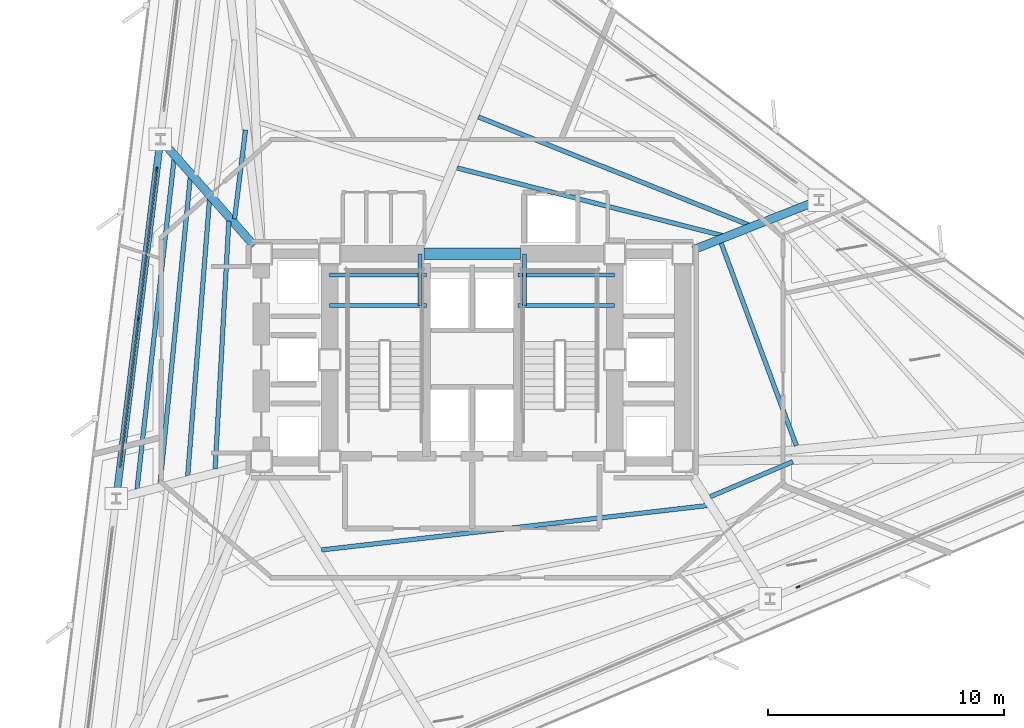
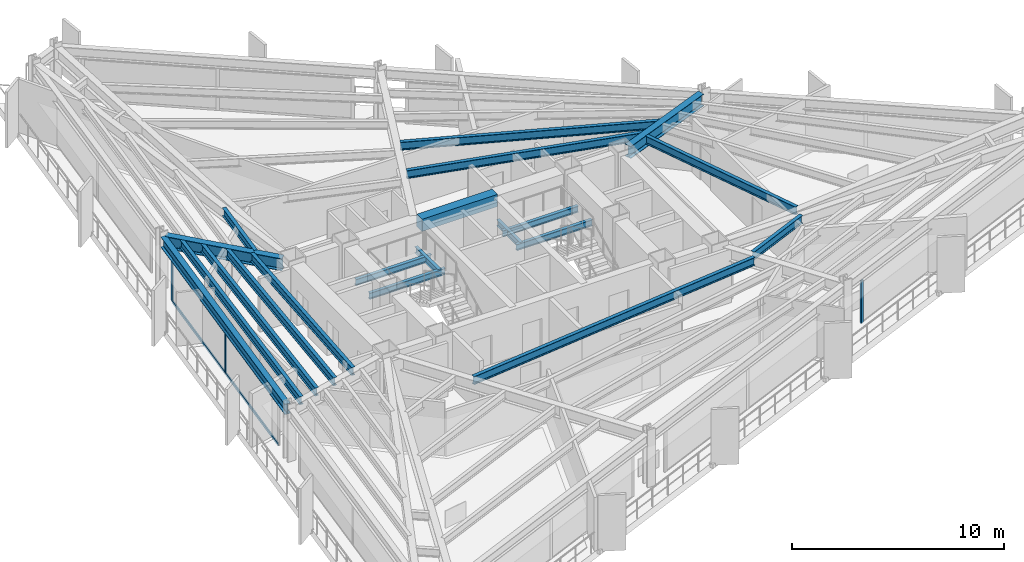
# One storey, part 3 of 13: 20 beams, 7 members, 2 elements without a shape of their own.
"""IFC4 building model written with IfcOpenShell, lengths in metres."""

import ifcopenshell
import ifcopenshell.guid

model = None  # the IFC model being written
_history = None  # IfcOwnerHistory: only IFC2X3 demands one
_inside = {}  # id of a spatial element -> (the spatial element, [elements in it])
_under = {}  # id of a project, library or spatial element -> (it, [spatial elements below it])
_declared = {}  # id of a project -> (the project, [libraries it declares])
_typed = {}  # id of a type object -> (the type object, [elements of that type])
_made_of = {}  # id of a material, layer set ... -> (it, [elements and type objects made of it])


def new_model(schema):
    """Start an empty IFC model of exactly this schema.

    Asked for "IFC4X3", IfcOpenShell would pick the latest addendum, in which some entities
    have other attributes; the version numbers below select the first issue.
    IFC2X3 requires an IfcOwnerHistory on every rooted entity: one is made here for all.
    """
    global model, _history
    if schema == "IFC4X3":
        model = ifcopenshell.file(schema_version=(4, 3, 0, 0))
    else:
        model = ifcopenshell.file(schema=schema)
    _inside.clear()
    _under.clear()
    _declared.clear()
    _typed.clear()
    _made_of.clear()
    _history = None
    if model.schema == "IFC2X3":
        org = make("IfcOrganization", Name="unknown")
        user = make(
            "IfcPersonAndOrganization",
            ThePerson=make("IfcPerson", FamilyName="unknown"),
            TheOrganization=org,
        )
        app = make(
            "IfcApplication",
            ApplicationDeveloper=org,
            Version="unknown",
            ApplicationFullName="unknown",
            ApplicationIdentifier="unknown",
        )
        _history = make(
            "IfcOwnerHistory",
            OwningUser=user,
            OwningApplication=app,
            ChangeAction="ADDED",
            CreationDate=0,
        )
    return model


def make(cls, **values):
    """One entity of the class cls with the attributes given. An attribute that is None is left unset."""
    return model.create_entity(
        cls, **{name: value for name, value in values.items() if value is not None}
    )


def rooted(cls, **values):
    """An entity with a GlobalId (a new one), such as an element, a storey or a relation."""
    return make(cls, GlobalId=ifcopenshell.guid.new(), OwnerHistory=_history, **values)


def si_unit(unit_type, name, prefix=None):
    """IfcSIUnit, for example si_unit("LENGTHUNIT", "METRE", prefix="MILLI")."""
    return make("IfcSIUnit", UnitType=unit_type, Prefix=prefix, Name=name)


def assignment(units):
    """IfcUnitAssignment: the units of a project."""
    return None if units is None else make("IfcUnitAssignment", Units=units)


def point(xyz):
    """IfcCartesianPoint."""
    return None if xyz is None else make("IfcCartesianPoint", Coordinates=xyz)


def direction(xyz):
    """IfcDirection."""
    return None if xyz is None else make("IfcDirection", DirectionRatios=xyz)


def frame(location, z_axis=None, x_axis=None):
    """IfcAxis2Placement3D, a coordinate frame: its origin and axes. An axis left out is left unset."""
    return make(
        "IfcAxis2Placement3D",
        Location=point(location),
        Axis=direction(z_axis),
        RefDirection=direction(x_axis),
    )


def frame_2d(location, x_axis=None):
    """IfcAxis2Placement2D, a coordinate frame in the plane: its origin and x axis."""
    return make(
        "IfcAxis2Placement2D", Location=point(location), RefDirection=direction(x_axis)
    )


def origin():
    """The frame at (0, 0, 0) with its axes left unset."""
    return frame((0.0, 0.0, 0.0))


def origin_2d():
    """The frame at (0, 0) in the plane with its x axis left unset."""
    return frame_2d((0.0, 0.0))


def place(relative_to, where):
    """IfcLocalPlacement: puts the frame where relative to a parent placement (None: the world)."""
    return make(
        "IfcLocalPlacement", PlacementRelTo=relative_to, RelativePlacement=where
    )


def context(
    kind, dimensions, precision=None, world=None, true_north=None, identifier=None
):
    """IfcGeometricRepresentationContext, for example the 3D "Model" context."""
    return make(
        "IfcGeometricRepresentationContext",
        ContextIdentifier=identifier,
        ContextType=kind,
        CoordinateSpaceDimension=dimensions,
        Precision=precision,
        WorldCoordinateSystem=world,
        TrueNorth=true_north,
    )


def subcontext(parent, identifier, kind, view, scale=None):
    """IfcGeometricRepresentationSubContext, for example "Body" below "Model"."""
    return make(
        "IfcGeometricRepresentationSubContext",
        ContextIdentifier=identifier,
        ContextType=kind,
        ParentContext=parent,
        TargetScale=scale,
        TargetView=view,
    )


def project(units=None, contexts=None):
    """IfcProject with its units and contexts."""
    return rooted(
        "IfcProject",
        Name="project",
        RepresentationContexts=contexts,
        UnitsInContext=assignment(units),
    )


def spatial(cls, under=None, at=None, **own):
    """A site, building, storey or space (cls), placed at a placement, below another one or the project."""
    s = rooted(cls, ObjectPlacement=at, **own)
    if under is not None:
        _under.setdefault(under.id(), (under, []))[1].append(s)
    return s


def profile(cls, at=None, kind="AREA", **sizes):
    """A parametric profile (cls). Its sizes go by their IFC names, for example OverallWidth=200.0."""
    return make(cls, ProfileType=kind, Position=at, **sizes)


def rectangle(**sizes):
    """IfcRectangleProfileDef."""
    return profile("IfcRectangleProfileDef", **sizes)


def i_section(**sizes):
    """IfcIShapeProfileDef."""
    return profile("IfcIShapeProfileDef", **sizes)


def extrude(swept, where, along, depth):
    """IfcExtrudedAreaSolid: the profile swept, set in the frame where, extruded along a direction by depth."""
    return make(
        "IfcExtrudedAreaSolid",
        SweptArea=swept,
        Position=where,
        ExtrudedDirection=direction(along),
        Depth=depth,
    )


def shape(context_of_items, identifier, shape_type, items):
    """IfcShapeRepresentation: the items that make up one representation, for example the "Body"."""
    return make(
        "IfcShapeRepresentation",
        ContextOfItems=context_of_items,
        RepresentationIdentifier=identifier,
        RepresentationType=shape_type,
        Items=items,
    )


def material(Name=None, Category=None):
    """IfcMaterial."""
    return make("IfcMaterial", Name=Name, Category=Category)


def layer(
    of_material, thickness, ventilated=None, Name=None, Category=None, Priority=None
):
    """IfcMaterialLayer: one layer of a wall or slab, of a material (None: an air gap)."""
    return make(
        "IfcMaterialLayer",
        Material=of_material,
        LayerThickness=thickness,
        IsVentilated=ventilated,
        Name=Name,
        Category=Category,
        Priority=Priority,
    )


def layer_set(layers, Name=None):
    """IfcMaterialLayerSet."""
    return make("IfcMaterialLayerSet", MaterialLayers=layers, LayerSetName=Name)


def material_profile(
    of_material, cross_section, Name=None, Category=None, Priority=None
):
    """IfcMaterialProfile: a cross section and its material."""
    return make(
        "IfcMaterialProfile",
        Name=Name,
        Material=of_material,
        Profile=cross_section,
        Priority=Priority,
        Category=Category,
    )


def profile_set(profiles, Name=None, composite=None):
    """IfcMaterialProfileSet."""
    return make(
        "IfcMaterialProfileSet",
        Name=Name,
        MaterialProfiles=profiles,
        CompositeProfile=composite,
    )


def made_of(thing, what):
    """Note that an element or type object is made of a material, layer set ...; save() writes the relation."""
    if what is not None:
        _made_of.setdefault(what.id(), (what, []))[1].append(thing)
    return thing


def type_object(cls, material=None, **own):
    """A type object (cls), such as IfcWallType, which elements share."""
    return made_of(rooted(cls, **own), material)


def element(
    cls,
    number,
    at=None,
    inside=None,
    cuts=None,
    type_object=None,
    material=None,
    context=None,
    identifier="Body",
    shape_type=None,
    held_by="IfcProductDefinitionShape",
    body=None,
    shapes=None,
    **own,
):
    """One element of the class cls, such as IfcWall. Its Tag is "e" and its number.

    at: its placement. inside: the storey or other place that contains it. cuts: it is an
    opening in that element (IfcRelVoidsElement). A single representation is given by context,
    identifier, shape_type and body (its items); several are given by shapes. held_by: the class
    of the entity that holds the representations. save() writes the other relations.
    """
    e = rooted(cls, Tag="e%d" % number, ObjectPlacement=at, **own)
    if body is not None:
        shapes = [shape(context, identifier, shape_type, body)]
    if shapes is not None:
        e.Representation = make(held_by, Representations=shapes)
    if inside is not None:
        _inside.setdefault(inside.id(), (inside, []))[1].append(e)
    if cuts is not None:
        rooted(
            "IfcRelVoidsElement", RelatingBuildingElement=cuts, RelatedOpeningElement=e
        )
    if type_object is not None:
        _typed.setdefault(type_object.id(), (type_object, []))[1].append(e)
    return made_of(e, material)


def aggregate(whole, parts):
    """IfcRelAggregates: a whole, such as a stair, and the parts it consists of."""
    return rooted("IfcRelAggregates", RelatingObject=whole, RelatedObjects=parts)


def save(model, path):
    """Write the relations noted so far, then the file.

    IfcRelAggregates (storeys below a building ...), IfcRelContainedInSpatialStructure (elements
    in a storey), IfcRelDefinesByType, IfcRelAssociatesMaterial and IfcRelDeclares: one each for
    every whole, place, type object, material and project.
    """
    for whole, parts in _under.values():
        aggregate(whole, parts)
    for where, things in _inside.values():
        rooted(
            "IfcRelContainedInSpatialStructure",
            RelatedElements=things,
            RelatingStructure=where,
        )
    for kind, things in _typed.values():
        rooted("IfcRelDefinesByType", RelatedObjects=things, RelatingType=kind)
    for what, things in _made_of.values():
        rooted("IfcRelAssociatesMaterial", RelatedObjects=things, RelatingMaterial=what)
    for by, libraries in _declared.values():
        rooted("IfcRelDeclares", RelatingContext=by, RelatedDefinitions=libraries)
    model.write(path)


model = new_model("IFC4")

# Units and contexts
model_context = context("Model", 3, precision=1e-05, world=origin(), true_north=direction((0.0, 1.0)))
body_context = subcontext(model_context, "Body", "Model", "MODEL_VIEW")
ifc_project = project(units=[si_unit("LENGTHUNIT", "METRE"), si_unit("AREAUNIT", "SQUARE_METRE"), si_unit("VOLUMEUNIT", "CUBIC_METRE"), si_unit("PLANEANGLEUNIT", "RADIAN"), si_unit("MASSUNIT", "GRAM", prefix="KILO")], contexts=[model_context])

# Site, building, storey
site_placement = place(None, origin())
site = spatial("IfcSite", under=ifc_project, at=site_placement, CompositionType="ELEMENT")
building_placement = place(site_placement, origin())
building = spatial("IfcBuilding", under=site, at=building_placement, Name="Rocaltana Carrier Exchange", CompositionType="ELEMENT")
storey_placement = place(building_placement, frame((0.0, 0.0, 49.60009765625)))
storey = spatial("IfcBuildingStorey", under=building, at=storey_placement, Name="L15", CompositionType="ELEMENT", Elevation=49.60009765625)

# Curtain wall, members
ifc_material_1 = material(Name="Aluminium 6063-T6", Category="aluminium")
ifc_layer = layer(ifc_material_1, 0.1650390625)
ifc_layer_set = layer_set([ifc_layer], Name="Aluminium 6063-T6")
curtain_wall_type = type_object("IfcCurtainWallType", Name="Lower-Mid Stepped Curtain Wall CW-02", PredefinedType="NOTDEFINED", material=ifc_layer_set)
curtain_wall_1_placement = place(storey_placement, origin())
curtain_wall_1 = element("IfcCurtainWall", 1, at=curtain_wall_1_placement, inside=storey, type_object=curtain_wall_type, Name="L15 CW-02 Run CW-L15-F2S2", PredefinedType="NOTDEFINED")
ifc_material_2 = material(Name="Aluminium 6063-T6", Category="aluminium")
ifc_material_profile_1 = material_profile(ifc_material_2, rectangle(XDim=0.06494140625, YDim=0.1650390625, at=origin_2d()), Name="AL-65X165")
ifc_profile_set_1 = profile_set([ifc_material_profile_1], Name="Aluminium 6063-T6")
member_type_1 = type_object("IfcMemberType", Name="CW-02 Mullion AL-65X165", PredefinedType="MULLION", material=ifc_profile_set_1)
member_1_placement = place(storey_placement, frame((-13.39404296875, 8.093505859375, 0.0), z_axis=(0.0, 0.0, 1.0), x_axis=(0.992545632614, -0.121873570472, 0.0)))
member_1 = element("IfcMember", 2, at=member_1_placement, type_object=member_type_1, Name="CW-02 mullion 1", PredefinedType="MULLION", context=body_context, shape_type="SweptSolid", body=[
    extrude(rectangle(XDim=0.06494140625, YDim=0.1650390625, at=origin_2d()), origin(), (0.0, 0.0, 1.0), 2.477783203125),
])
member_2_placement = place(storey_placement, frame((-14.17431640625, 1.740234375, 0.0), z_axis=(0.0, 0.0, 1.0), x_axis=(0.992545632614, -0.121873570472, 0.0)))
member_2 = element("IfcMember", 3, at=member_2_placement, type_object=member_type_1, Name="CW-02 mullion 2", PredefinedType="MULLION", context=body_context, shape_type="SweptSolid", body=[
    extrude(rectangle(XDim=0.06494140625, YDim=0.1650390625, at=origin_2d()), origin(), (0.0, 0.0, 1.0), 2.477783203125),
])

# Curtain wall, member
curtain_wall_2_placement = place(storey_placement, origin())
curtain_wall_2 = element("IfcCurtainWall", 4, at=curtain_wall_2_placement, inside=storey, type_object=curtain_wall_type, Name="L15 CW-02 Run CW-L15-F3S3", PredefinedType="NOTDEFINED")
member_3_placement = place(storey_placement, frame((13.8330078125, -9.642333984375, 0.0), z_axis=(0.0, 0.0, 1.0), x_axis=(-0.390735259141, 0.920503100084, 0.0)))
member_3 = element("IfcMember", 5, at=member_3_placement, type_object=member_type_1, Name="CW-02 mullion 1", PredefinedType="MULLION", context=body_context, shape_type="SweptSolid", body=[
    extrude(rectangle(XDim=0.06494140625, YDim=0.1650390625, at=origin_2d()), origin(), (0.0, 0.0, 1.0), 2.477783203125),
])
aggregate(curtain_wall_2, [member_3])

# Member
ifc_material_3 = material(Name="Aluminium 6063-T6", Category="aluminium")
ifc_material_profile_2 = material_profile(ifc_material_3, rectangle(XDim=0.06494140625, YDim=0.1650390625, at=origin_2d()), Name="AL-65X165")
ifc_profile_set_2 = profile_set([ifc_material_profile_2], Name="Aluminium 6063-T6")
member_type_2 = type_object("IfcMemberType", Name="CW-02 Transom AL-65X165", PredefinedType="USERDEFINED", material=ifc_profile_set_2)
member_4_placement = place(storey_placement, frame((-13.398193359375, 8.061279296875, 0.032470703125), z_axis=(-0.121881311797, -0.992544682034, 0.0), x_axis=(0.992544682034, -0.121881311797, 0.0)))
member_4 = element("IfcMember", 6, at=member_4_placement, type_object=member_type_2, Name="CW-02 transom 1.1", ObjectType="TRANSOM", PredefinedType="USERDEFINED", context=body_context, shape_type="SweptSolid", body=[
    extrude(rectangle(XDim=0.06494140625, YDim=0.1650390625, at=origin_2d()), origin(), (0.0, 0.0, 1.0), 6.335693359375),
])

member_5_placement = place(storey_placement, frame((-13.398193359375, 8.061279296875, 2.4453125), z_axis=(-0.121881311797, -0.992544682034, 0.0), x_axis=(0.992544682034, -0.121881311797, 0.0)))
member_5 = element("IfcMember", 7, at=member_5_placement, type_object=member_type_2, Name="CW-02 transom 1.2", ObjectType="TRANSOM", PredefinedType="USERDEFINED", context=body_context, shape_type="SweptSolid", body=[
    extrude(rectangle(XDim=0.06494140625, YDim=0.1650390625, at=origin_2d()), origin(), (0.0, 0.0, 1.0), 6.335693359375),
])

member_6_placement = place(storey_placement, frame((-14.17822265625, 1.7080078125, 0.032470703125), z_axis=(-0.121881311797, -0.992544682034, 0.0), x_axis=(0.992544682034, -0.121881311797, 0.0)))
member_6 = element("IfcMember", 8, at=member_6_placement, type_object=member_type_2, Name="CW-02 transom 2.1", ObjectType="TRANSOM", PredefinedType="USERDEFINED", context=body_context, shape_type="SweptSolid", body=[
    extrude(rectangle(XDim=0.06494140625, YDim=0.1650390625, at=origin_2d()), origin(), (0.0, 0.0, 1.0), 6.335693359375),
])

member_7_placement = place(storey_placement, frame((-14.17822265625, 1.7080078125, 2.4453125), z_axis=(-0.121881311797, -0.992544682034, 0.0), x_axis=(0.992544682034, -0.121881311797, 0.0)))
member_7 = element("IfcMember", 9, at=member_7_placement, type_object=member_type_2, Name="CW-02 transom 2.2", ObjectType="TRANSOM", PredefinedType="USERDEFINED", context=body_context, shape_type="SweptSolid", body=[
    extrude(rectangle(XDim=0.06494140625, YDim=0.1650390625, at=origin_2d()), origin(), (0.0, 0.0, 1.0), 6.335693359375),
])

aggregate(curtain_wall_1, [member_1, member_2, member_4, member_5, member_6, member_7])

# Beams
ifc_material_4 = material(Name="Concrete C60/75", Category="concrete")
ifc_material_profile_3 = material_profile(ifc_material_4, rectangle(XDim=0.5, YDim=0.699951171875, at=origin_2d()), Name="RC-BM-500X700")
ifc_profile_set_3 = profile_set([ifc_material_profile_3], Name="Concrete C60/75")
beam_type_1 = type_object("IfcBeamType", Name="Core Coupling Lintel 500x700", PredefinedType="LINTEL", material=ifc_profile_set_3)
beam_1_placement = place(storey_placement, frame((-2.050048828125, 4.5, 2.747802734375), z_axis=(1.0, 0.0, 0.0), x_axis=(0.0, 1.0, 0.0)))
element("IfcBeam", 10, at=beam_1_placement, inside=storey, type_object=beam_type_1, Name="L15 Core Coupling Lintel CL-N", PredefinedType="LINTEL", context=body_context, shape_type="SweptSolid", body=[
    extrude(rectangle(XDim=0.5, YDim=0.699951171875, at=origin_2d()), origin(), (0.0, 0.0, 1.0), 4.10009765625),
])
ifc_material_5 = material(Name="Steel S355", Category="steel")
ifc_material_profile_4 = material_profile(ifc_material_5, i_section(OverallWidth=0.172119140625, OverallDepth=0.35791015625, WebThickness=0.0078125, FlangeThickness=0.01318359375, FilletRadius=0.011962890625, at=origin_2d()), Name="W14X38")
ifc_profile_set_4 = profile_set([ifc_material_profile_4], Name="Steel S355")
beam_type_2 = type_object("IfcBeamType", Name="Floor Joist W14X38", PredefinedType="JOIST", material=ifc_profile_set_4)
for number, where, z_axis, x_axis, name in (
    (11, (-6.050048828125, 2.300048828125, 1.30078125), (1.0, 0.0, 0.0), (0.0, 1.0, 0.0), "L15 ST-1 Landing Carrier 1"),
    (12, (1.93994140625, 2.300048828125, 1.30078125), (1.0, 0.0, 0.0), (0.0, 1.0, 0.0), "L15 ST-2 Landing Carrier 1"),
    (13, (-6.050048828125, 3.60009765625, 1.30078125), (1.0, 0.0, 0.0), (0.0, 1.0, 0.0), "L15 ST-1 Landing Carrier 2"),
    (14, (1.93994140625, 3.60009765625, 1.30078125), (1.0, 0.0, 0.0), (0.0, 1.0, 0.0), "L15 ST-2 Landing Carrier 2"),
):
    element("IfcBeam", number, at=place(storey_placement, frame(where, z_axis=z_axis, x_axis=x_axis)), inside=storey, type_object=beam_type_2, Name=name, PredefinedType="JOIST", context=body_context, shape_type="SweptSolid", body=[
        extrude(i_section(OverallWidth=0.172119140625, OverallDepth=0.35791015625, WebThickness=0.0078125, FlangeThickness=0.01318359375, FilletRadius=0.011962890625, at=origin_2d()), origin(), (0.0, 0.0, 1.0), 4.110107421875),
    ])
for number, where, z_axis, x_axis, name in (
    (15, (-2.219970703125, 2.300048828125, 1.30078125), (0.0, 1.0, 0.0), (-1.0, 0.0, 0.0), "L15 ST-1 Landing Cross Trimmer"),
    (16, (2.219970703125, 2.300048828125, 1.30078125), (0.0, 1.0, 0.0), (-1.0, 0.0, 0.0), "L15 ST-2 Landing Cross Trimmer"),
):
    element("IfcBeam", number, at=place(storey_placement, frame(where, z_axis=z_axis, x_axis=x_axis)), inside=storey, type_object=beam_type_2, Name=name, PredefinedType="JOIST", context=body_context, shape_type="SweptSolid", body=[
        extrude(i_section(OverallWidth=0.172119140625, OverallDepth=0.35791015625, WebThickness=0.0078125, FlangeThickness=0.01318359375, FilletRadius=0.011962890625, at=origin_2d()), origin(), (0.0, 0.0, 1.0), 2.199951171875),
    ])
ifc_material_6 = material(Name="Steel S355", Category="steel")
ifc_material_profile_5 = material_profile(ifc_material_6, i_section(OverallWidth=0.193115234375, OverallDepth=0.466064453125, WebThickness=0.011474609375, FlangeThickness=0.01904296875, FilletRadius=0.013916015625, at=origin_2d()), Name="W18X65")
ifc_profile_set_5 = profile_set([ifc_material_profile_5], Name="Steel S355")
beam_type_3 = type_object("IfcBeamType", Name="Floor Joist W18X65", PredefinedType="JOIST", material=ifc_profile_set_5)
beam_2_placement = place(storey_placement, frame((13.7646484375, -3.644287109375, 2.864990234375), z_axis=(-0.348190538878, 0.937423782841, 0.0), x_axis=(-0.937423782841, -0.348190538878, 0.0)))
element("IfcBeam", 17, at=beam_2_placement, inside=storey, type_object=beam_type_3, Name="FJ-L15-01-1", PredefinedType="JOIST", context=body_context, shape_type="SweptSolid", body=[
    extrude(i_section(OverallWidth=0.193115234375, OverallDepth=0.466064453125, WebThickness=0.011474609375, FlangeThickness=0.01904296875, FilletRadius=0.013916015625, at=origin_2d()), origin(), (0.0, 0.0, 1.0), 9.17333984375),
])
beam_3_placement = place(storey_placement, frame((10.633544921875, 5.272216796875, 2.864990234375), z_axis=(-0.969019358716, 0.246984781785, 0.0), x_axis=(-0.246984781785, -0.969019358716, 0.0)))
element("IfcBeam", 18, at=beam_3_placement, inside=storey, type_object=beam_type_3, Name="FJ-L15-02-1", PredefinedType="JOIST", context=body_context, shape_type="SweptSolid", body=[
    extrude(i_section(OverallWidth=0.193115234375, OverallDepth=0.466064453125, WebThickness=0.011474609375, FlangeThickness=0.01904296875, FilletRadius=0.013916015625, at=origin_2d()), origin(), (0.0, 0.0, 1.0), 11.639404296875),
])
beam_4_placement = place(storey_placement, frame((11.73876953125, 5.72705078125, 2.864990234375), z_axis=(-0.928527082135, 0.371264673436, 0.0), x_axis=(-0.371264673436, -0.928527082135, 0.0)))
element("IfcBeam", 19, at=beam_4_placement, inside=storey, type_object=beam_type_3, Name="FJ-L15-02-2", PredefinedType="JOIST", context=body_context, shape_type="SweptSolid", body=[
    extrude(i_section(OverallWidth=0.193115234375, OverallDepth=0.466064453125, WebThickness=0.011474609375, FlangeThickness=0.01904296875, FilletRadius=0.013916015625, at=origin_2d()), origin(), (0.0, 0.0, 1.0), 12.36083984375),
])
beam_5_placement = place(storey_placement, frame((-9.623046875, 9.76171875, 2.864990234375), z_axis=(-0.121879106214, -0.99254495287, 0.0), x_axis=(0.99254495287, -0.121879106214, 0.0)))
element("IfcBeam", 20, at=beam_5_placement, inside=storey, type_object=beam_type_3, Name="FJ-L15-05-1", PredefinedType="JOIST", context=body_context, shape_type="SweptSolid", body=[
    extrude(i_section(OverallWidth=0.193115234375, OverallDepth=0.466064453125, WebThickness=0.011474609375, FlangeThickness=0.01904296875, FilletRadius=0.013916015625, at=origin_2d()), origin(), (0.0, 0.0, 1.0), 3.805908203125),
])
beam_6_placement = place(storey_placement, frame((-10.33154296875, 5.885986328125, 2.864990234375), z_axis=(-0.055068403042, -0.998482584218, 0.0), x_axis=(0.998482584218, -0.055068403042, 0.0)))
element("IfcBeam", 21, at=beam_6_placement, inside=storey, type_object=beam_type_3, Name="FJ-L15-06-1", PredefinedType="JOIST", context=body_context, shape_type="SweptSolid", body=[
    extrude(i_section(OverallWidth=0.193115234375, OverallDepth=0.466064453125, WebThickness=0.011474609375, FlangeThickness=0.01904296875, FilletRadius=0.013916015625, at=origin_2d()), origin(), (0.0, 0.0, 1.0), 10.5380859375),
])
beam_7_placement = place(storey_placement, frame((-11.150390625, 6.810791015625, 2.864990234375), z_axis=(-0.078741493591, -0.996895068293, 0.0), x_axis=(0.996895068293, -0.078741493591, 0.0)))
element("IfcBeam", 22, at=beam_7_placement, inside=storey, type_object=beam_type_3, Name="FJ-L15-06-2", PredefinedType="JOIST", context=body_context, shape_type="SweptSolid", body=[
    extrude(i_section(OverallWidth=0.193115234375, OverallDepth=0.466064453125, WebThickness=0.011474609375, FlangeThickness=0.01904296875, FilletRadius=0.013916015625, at=origin_2d()), origin(), (0.0, 0.0, 1.0), 11.78515625),
])
beam_8_placement = place(storey_placement, frame((-11.96826171875, 7.73583984375, 2.864990234375), z_axis=(-0.097972183255, -0.995189153532, 0.0), x_axis=(0.995189153532, -0.097972183255, 0.0)))
element("IfcBeam", 23, at=beam_8_placement, inside=storey, type_object=beam_type_3, Name="FJ-L15-06-3", PredefinedType="JOIST", context=body_context, shape_type="SweptSolid", body=[
    extrude(i_section(OverallWidth=0.193115234375, OverallDepth=0.466064453125, WebThickness=0.011474609375, FlangeThickness=0.01904296875, FilletRadius=0.013916015625, at=origin_2d()), origin(), (0.0, 0.0, 1.0), 13.037841796875),
])
beam_9_placement = place(storey_placement, frame((-12.65673828125, 8.5146484375, 2.864990234375), z_axis=(-0.111539715424, -0.993759976998, 0.0), x_axis=(0.993759976998, -0.111539715424, 0.0)))
element("IfcBeam", 24, at=beam_9_placement, inside=storey, type_object=beam_type_3, Name="FJ-L15-06-4", PredefinedType="JOIST", context=body_context, shape_type="SweptSolid", body=[
    extrude(i_section(OverallWidth=0.193115234375, OverallDepth=0.466064453125, WebThickness=0.011474609375, FlangeThickness=0.01904296875, FilletRadius=0.013916015625, at=origin_2d()), origin(), (0.0, 0.0, 1.0), 14.095947265625),
])
beam_10_placement = place(storey_placement, frame((-6.393310546875, -8.071533203125, 2.864990234375), z_axis=(0.993445833528, 0.114303875027, 0.0), x_axis=(-0.114303875027, 0.993445833528, 0.0)))
element("IfcBeam", 25, at=beam_10_placement, inside=storey, type_object=beam_type_3, Name="FJ-L15-10-1", PredefinedType="JOIST", context=body_context, shape_type="SweptSolid", body=[
    extrude(i_section(OverallWidth=0.193115234375, OverallDepth=0.466064453125, WebThickness=0.011474609375, FlangeThickness=0.01904296875, FilletRadius=0.013916015625, at=origin_2d()), origin(), (0.0, 0.0, 1.0), 16.465576171875),
])
beam_11_placement = place(storey_placement, frame((10.107421875, -5.810791015625, 2.864990234375), z_axis=(0.920496503987, 0.390750798013, 0.0), x_axis=(-0.390750798013, 0.920496503987, 0.0)))
element("IfcBeam", 26, at=beam_11_placement, inside=storey, type_object=beam_type_3, Name="FJ-L15-11-1", PredefinedType="JOIST", context=body_context, shape_type="SweptSolid", body=[
    extrude(i_section(OverallWidth=0.193115234375, OverallDepth=0.466064453125, WebThickness=0.011474609375, FlangeThickness=0.01904296875, FilletRadius=0.013916015625, at=origin_2d()), origin(), (0.0, 0.0, 1.0), 3.80615234375),
])
ifc_material_7 = material(Name="Steel S355", Category="steel")
ifc_material_profile_6 = material_profile(ifc_material_7, i_section(OverallWidth=0.35498046875, OverallDepth=0.695068359375, WebThickness=0.015380859375, FlangeThickness=0.02490234375, FilletRadius=0.01806640625, at=origin_2d()), Name="W27X146")
ifc_profile_set_6 = profile_set([ifc_material_profile_6], Name="Steel S355")
beam_type_4 = type_object("IfcBeamType", Name="Radial Girder W27X146", PredefinedType="BEAM", material=ifc_profile_set_6)
beam_12_placement = place(storey_placement, frame((9.384521484375, 4.67138671875, 2.75048828125), z_axis=(0.930182926825, 0.36709633973, 0.0), x_axis=(-0.36709633973, 0.930182926825, 0.0)))
element("IfcBeam", 27, at=beam_12_placement, inside=storey, type_object=beam_type_4, Name="RG-L15-02", PredefinedType="BEAM", context=body_context, shape_type="SweptSolid", body=[
    extrude(i_section(OverallWidth=0.35498046875, OverallDepth=0.695068359375, WebThickness=0.015380859375, FlangeThickness=0.02490234375, FilletRadius=0.01806640625, at=origin_2d()), origin(), (0.0, 0.0, 1.0), 5.543212890625),
])
beam_13_placement = place(storey_placement, frame((-9.2587890625, 4.850341796875, 2.75048828125), z_axis=(-0.661089638408, 0.750306930522, 0.0), x_axis=(-0.750306930522, -0.661089638408, 0.0)))
element("IfcBeam", 28, at=beam_13_placement, inside=storey, type_object=beam_type_4, Name="RG-L15-06", PredefinedType="BEAM", context=body_context, shape_type="SweptSolid", body=[
    extrude(i_section(OverallWidth=0.35498046875, OverallDepth=0.695068359375, WebThickness=0.015380859375, FlangeThickness=0.02490234375, FilletRadius=0.01806640625, at=origin_2d()), origin(), (0.0, 0.0, 1.0), 5.81494140625),
])
ifc_material_8 = material(Name="Steel S355", Category="steel")
ifc_material_profile_7 = material_profile(ifc_material_8, i_section(OverallWidth=0.300048828125, OverallDepth=0.60009765625, WebThickness=0.015380859375, FlangeThickness=0.030029296875, FilletRadius=0.027099609375, at=origin_2d()), Name="HEB600")
ifc_profile_set_7 = profile_set([ifc_material_profile_7], Name="Steel S355")
beam_type_5 = type_object("IfcBeamType", Name="Spandrel Edge Beam HEB600", PredefinedType="SPANDREL", material=ifc_profile_set_7)
beam_14_placement = place(storey_placement, frame((-13.2626953125, 9.163818359375, 2.7978515625), z_axis=(-0.121870991454, -0.992545949285, 0.0), x_axis=(0.992545949285, -0.121870991454, 0.0)))
element("IfcBeam", 29, at=beam_14_placement, inside=storey, type_object=beam_type_5, Name="SP-L15-06", PredefinedType="SPANDREL", context=body_context, shape_type="SweptSolid", body=[
    extrude(i_section(OverallWidth=0.300048828125, OverallDepth=0.60009765625, WebThickness=0.015380859375, FlangeThickness=0.030029296875, FilletRadius=0.027099609375, at=origin_2d()), origin(), (0.0, 0.0, 1.0), 14.95849609375),
])

save(model, "model.ifc")
